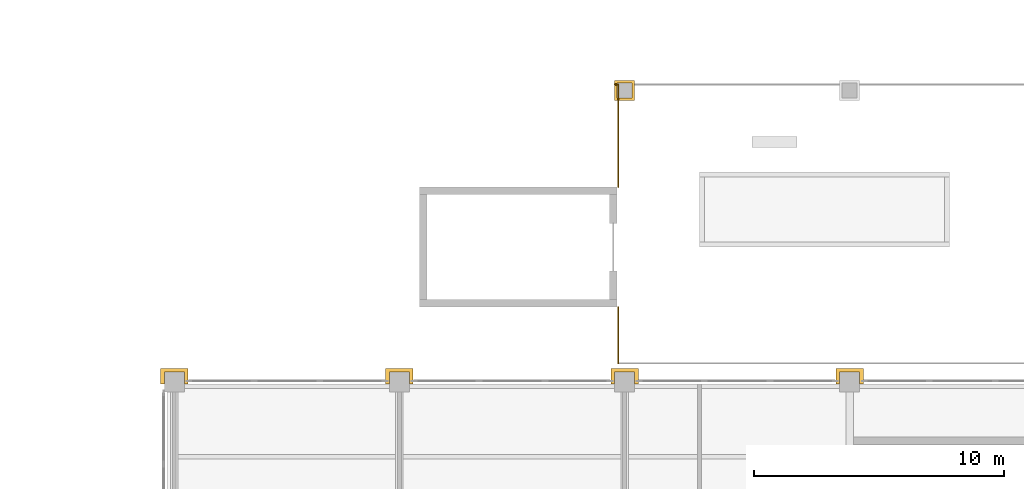
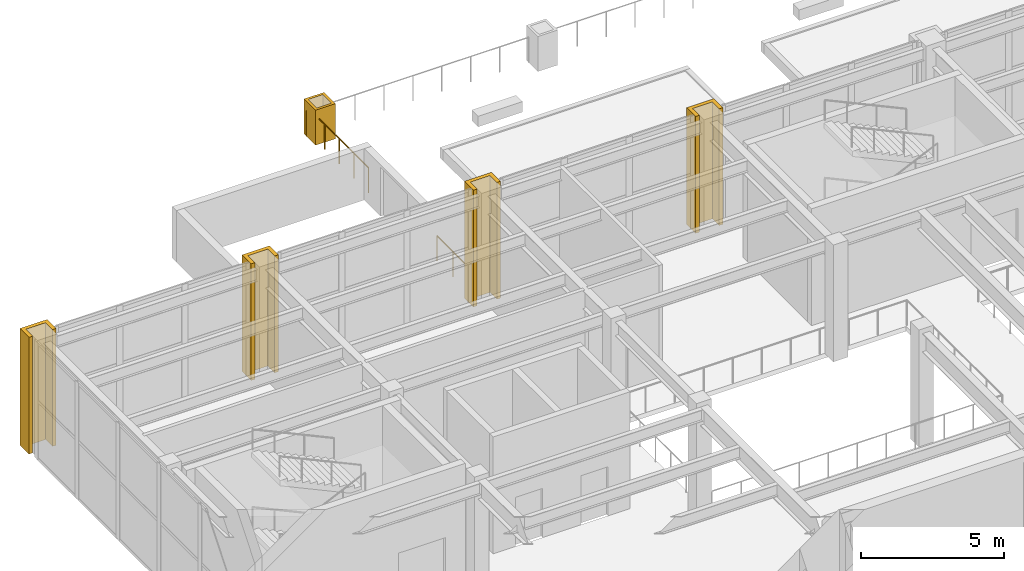
# One storey, part 62 of 67: 5 coverings, 3 railings.
"""IFC4 building model written with IfcOpenShell, lengths in metres."""

from ifc_helpers import new_model, si_unit, direction, frame, origin, origin_2d, place, context, subcontext, project, spatial, polyline, circle, outline, extrude, material, layer, layer_set, type_object, element, save


model = new_model("IFC4")

# Units and contexts
model_context = context("Model", 3, precision=1e-05, world=origin(), true_north=direction((0.0, 1.0)))
body_context = subcontext(model_context, "Body", "Model", "MODEL_VIEW")
ifc_project = project(units=[si_unit("LENGTHUNIT", "METRE"), si_unit("AREAUNIT", "SQUARE_METRE"), si_unit("VOLUMEUNIT", "CUBIC_METRE"), si_unit("PLANEANGLEUNIT", "RADIAN"), si_unit("MASSUNIT", "GRAM", prefix="KILO")], contexts=[model_context])

# Site, building, storey
site_placement = place(None, origin())
site = spatial("IfcSite", under=ifc_project, at=site_placement, CompositionType="ELEMENT")
building_placement = place(site_placement, origin())
building = spatial("IfcBuilding", under=site, at=building_placement, Name="Aravalli Gate Trade Fair Centre", CompositionType="ELEMENT")
storey_placement = place(building_placement, frame((0.0, 0.0, 5.0)))
storey = spatial("IfcBuildingStorey", under=building, at=storey_placement, Name="L01", CompositionType="ELEMENT", Elevation=5.0)

# Covering
ifc_material_1 = material(Name="Glazed terracotta", Category="masonry")
ifc_layer_1 = layer(ifc_material_1, 0.10009765625)
ifc_layer_set_1 = layer_set([ifc_layer_1], Name="Glazed terracotta")
covering_type_1 = type_object("IfcCoveringType", Name="Arcade pier casing 100", PredefinedType="CLADDING", material=ifc_layer_set_1)
covering_1_placement = place(storey_placement, origin())
element("IfcCovering", 1, at=covering_1_placement, inside=storey, type_object=covering_type_1, Name="Arcade pier casing 03 L01", PredefinedType="CLADDING", context=body_context, shape_type="SweptSolid", body=[
    extrude(outline(polyline([(23.60009765625, 144.25), (24.39990234375, 144.25), (24.39990234375, 145.050048828125), (23.60009765625, 145.050048828125), (23.60009765625, 144.25)]), holes=[polyline([(24.300048828125, 144.949951171875), (24.300048828125, 144.35009765625), (23.699951171875, 144.35009765625), (23.699951171875, 144.949951171875), (24.300048828125, 144.949951171875)])]), origin(), (0.0, 0.0, 1.0), 1.5),
])

# Railings
ifc_material_2 = material(Name="Steel E350", Category="steel")
railing_type = type_object("IfcRailingType", Name="Arcade terrace guard 1100", PredefinedType="GUARDRAIL", material=ifc_material_2)
railing_1_placement = place(storey_placement, frame((23.75, 144.89990234375, 0.0)))
element("IfcRailing", 2, at=railing_1_placement, inside=storey, type_object=railing_type, Name="Terrace guard NW", PredefinedType="GUARDRAIL", context=body_context, shape_type="SweptSolid", body=[
    extrude(circle(Radius=0.02392578125, at=origin_2d()), frame((0.0, 0.0, 1.076171875), z_axis=(-1.0, 0.0, 0.0), x_axis=(0.0, -1.0, 0.0)), (0.0, 0.0, 1.0), 0.14990234375),
    extrude(circle(Radius=0.02099609375, at=origin_2d()), origin(), (0.0, 0.0, 1.0), 1.052001953125),
    extrude(circle(Radius=0.02099609375, at=origin_2d()), frame((-0.14990234375, 0.0, 0.0)), (0.0, 0.0, 1.0), 1.052001953125),
])
railing_2_placement = place(storey_placement, frame((23.75, 133.75, 0.0)))
element("IfcRailing", 3, at=railing_2_placement, inside=storey, type_object=railing_type, Name="Terrace guard W1", PredefinedType="GUARDRAIL", context=body_context, shape_type="SweptSolid", body=[
    extrude(circle(Radius=0.02392578125, at=origin_2d()), frame((0.0, 0.0, 1.076171875), z_axis=(0.0, 1.0, 0.0), x_axis=(-1.0, 0.0, 0.0)), (0.0, 0.0, 1.0), 2.25),
    extrude(circle(Radius=0.02099609375, at=origin_2d()), origin(), (0.0, 0.0, 1.0), 1.052001953125),
    extrude(circle(Radius=0.02099609375, at=origin_2d()), frame((0.0, 1.125, 0.0)), (0.0, 0.0, 1.0), 1.052001953125),
    extrude(circle(Radius=0.02099609375, at=origin_2d()), frame((0.0, 2.25, 0.0)), (0.0, 0.0, 1.0), 1.052001953125),
])
railing_3_placement = place(storey_placement, frame((23.75, 140.800048828125, 0.0)))
element("IfcRailing", 4, at=railing_3_placement, inside=storey, type_object=railing_type, Name="Terrace guard W2", PredefinedType="GUARDRAIL", context=body_context, shape_type="SweptSolid", body=[
    extrude(circle(Radius=0.02392578125, at=origin_2d()), frame((0.0, 0.0, 1.076171875), z_axis=(0.0, 1.0, 0.0), x_axis=(-1.0, 0.0, 0.0)), (0.0, 0.0, 1.0), 4.099853515625),
    extrude(circle(Radius=0.02099609375, at=origin_2d()), origin(), (0.0, 0.0, 1.0), 1.052001953125),
    extrude(circle(Radius=0.02099609375, at=origin_2d()), frame((0.0, 1.02490234375, 0.0)), (0.0, 0.0, 1.0), 1.052001953125),
    extrude(circle(Radius=0.02099609375, at=origin_2d()), frame((0.0, 2.0498046875, 0.0)), (0.0, 0.0, 1.0), 1.052001953125),
    extrude(circle(Radius=0.02099609375, at=origin_2d()), frame((0.0, 3.074951171875, 0.0)), (0.0, 0.0, 1.0), 1.052001953125),
    extrude(circle(Radius=0.02099609375, at=origin_2d()), frame((0.0, 4.099853515625, 0.0)), (0.0, 0.0, 1.0), 1.052001953125),
])

# Coverings
ifc_layer_2 = layer(ifc_material_1, 0.14990234375)
ifc_layer_set_2 = layer_set([ifc_layer_2], Name="Glazed terracotta")
covering_type_2 = type_object("IfcCoveringType", Name="Terracotta pier casing 150", PredefinedType="CLADDING", material=ifc_layer_set_2)
covering_2_placement = place(storey_placement, origin())
element("IfcCovering", 5, at=covering_2_placement, inside=storey, type_object=covering_type_2, Name="Pier casing K01 L01", PredefinedType="CLADDING", context=body_context, shape_type="SweptSolid", body=[
    extrude(outline(polyline([(5.449951171875, 132.919921875), (5.60009765625, 132.919921875), (5.60009765625, 133.39990234375), (6.39990234375, 133.39990234375), (6.39990234375, 132.919921875), (6.550048828125, 132.919921875), (6.550048828125, 133.550048828125), (5.449951171875, 133.550048828125), (5.449951171875, 132.919921875)])), origin(), (0.0, 0.0, 1.0), 5.0),
])
covering_3_placement = place(storey_placement, origin())
element("IfcCovering", 6, at=covering_3_placement, inside=storey, type_object=covering_type_2, Name="Pier casing K02 L01", PredefinedType="CLADDING", context=body_context, shape_type="SweptSolid", body=[
    extrude(outline(polyline([(14.449951171875, 132.919921875), (14.60009765625, 132.919921875), (14.60009765625, 133.39990234375), (15.39990234375, 133.39990234375), (15.39990234375, 132.919921875), (15.550048828125, 132.919921875), (15.550048828125, 133.550048828125), (14.449951171875, 133.550048828125), (14.449951171875, 132.919921875)])), origin(), (0.0, 0.0, 1.0), 5.0),
])
covering_4_placement = place(storey_placement, origin())
element("IfcCovering", 7, at=covering_4_placement, inside=storey, type_object=covering_type_2, Name="Pier casing K03 L01", PredefinedType="CLADDING", context=body_context, shape_type="SweptSolid", body=[
    extrude(outline(polyline([(23.449951171875, 132.919921875), (23.60009765625, 132.919921875), (23.60009765625, 133.39990234375), (24.39990234375, 133.39990234375), (24.39990234375, 132.919921875), (24.550048828125, 132.919921875), (24.550048828125, 133.550048828125), (23.449951171875, 133.550048828125), (23.449951171875, 132.919921875)])), origin(), (0.0, 0.0, 1.0), 5.0),
])
covering_5_placement = place(storey_placement, origin())
element("IfcCovering", 8, at=covering_5_placement, inside=storey, type_object=covering_type_2, Name="Pier casing K04 L01", PredefinedType="CLADDING", context=body_context, shape_type="SweptSolid", body=[
    extrude(outline(polyline([(32.449951171875, 132.919921875), (32.60009765625, 132.919921875), (32.60009765625, 133.39990234375), (33.39990234375, 133.39990234375), (33.39990234375, 132.919921875), (33.550048828125, 132.919921875), (33.550048828125, 133.550048828125), (32.449951171875, 133.550048828125), (32.449951171875, 132.919921875)])), origin(), (0.0, 0.0, 1.0), 5.0),
])

save(model, "model.ifc")
